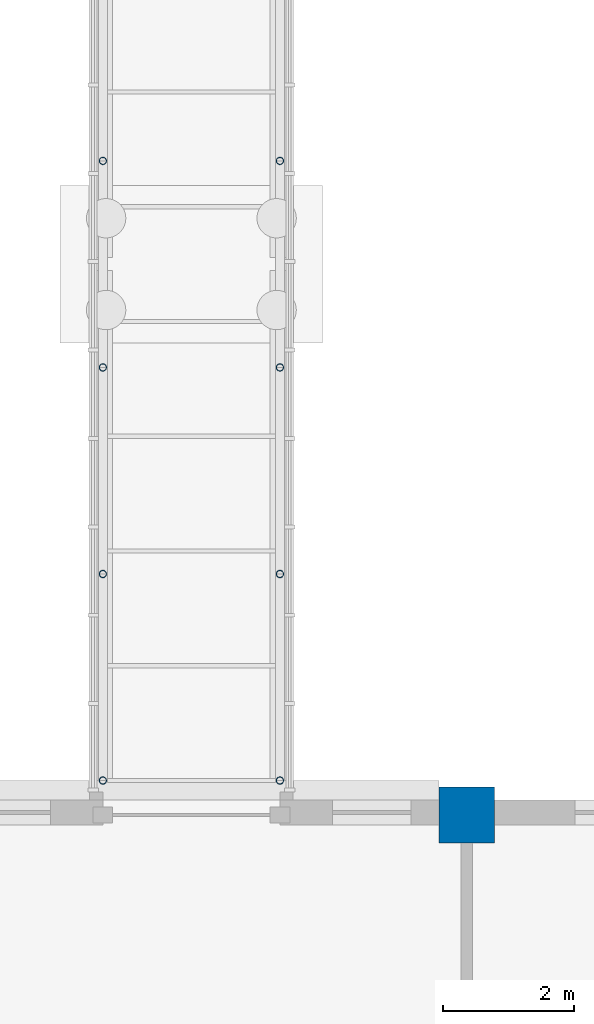
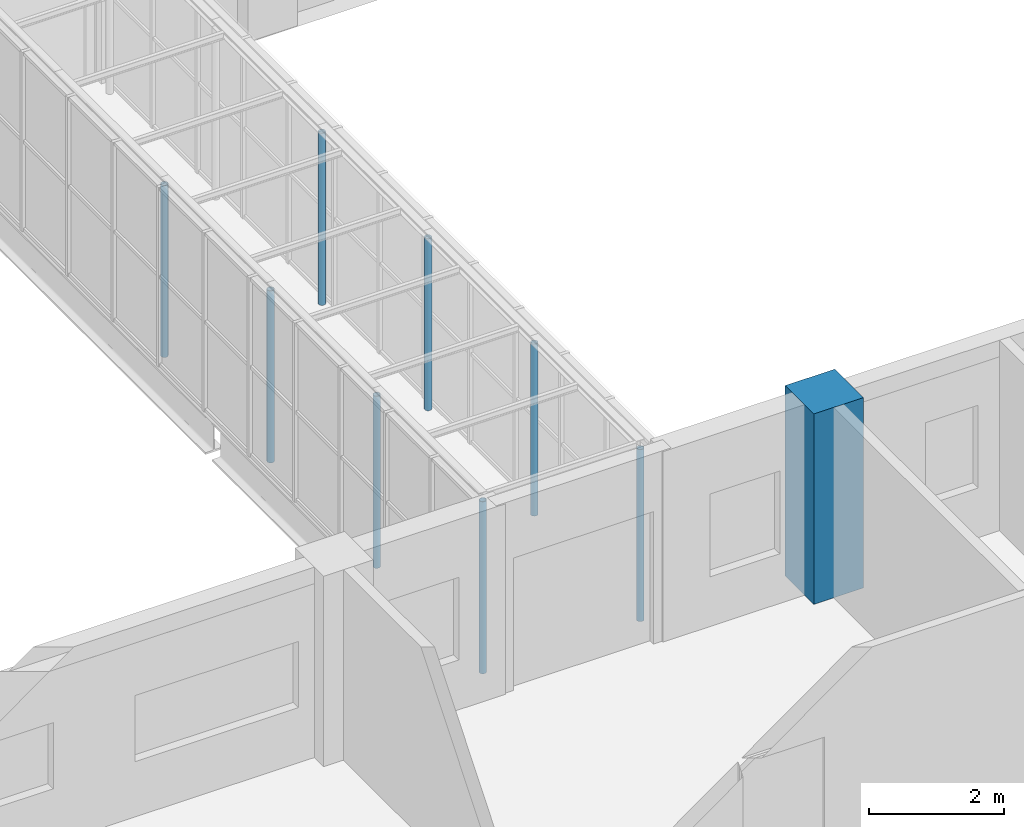
# One storey, part 2 of 94: 9 columns.
"""IFC4 building model written with IfcOpenShell, lengths in metres."""

from ifc_helpers import new_model, si_unit, direction, frame, origin, origin_2d, place, context, subcontext, project, spatial, rectangle, hollow_circle, extrude, material, material_profile, profile_set, type_object, element, save


model = new_model("IFC4")

# Units and contexts
model_context = context("Model", 3, precision=1e-05, world=origin(), true_north=direction((0.0, 1.0)))
body_context = subcontext(model_context, "Body", "Model", "MODEL_VIEW")
ifc_project = project(units=[si_unit("LENGTHUNIT", "METRE"), si_unit("AREAUNIT", "SQUARE_METRE"), si_unit("VOLUMEUNIT", "CUBIC_METRE"), si_unit("PLANEANGLEUNIT", "RADIAN"), si_unit("MASSUNIT", "GRAM", prefix="KILO")], contexts=[model_context])

# Site, building, storey
site_placement = place(None, origin())
site = spatial("IfcSite", under=ifc_project, at=site_placement, CompositionType="ELEMENT")
building_placement = place(site_placement, origin())
building = spatial("IfcBuilding", under=site, at=building_placement, Name="Yavir Park General Hospital", CompositionType="ELEMENT")
storey_placement = place(building_placement, frame((0.0, 0.0, 4.5)))
storey = spatial("IfcBuildingStorey", under=building, at=storey_placement, Name="L01", CompositionType="ELEMENT", Elevation=4.5)

# Columns
ifc_material_1 = material(Name="Steel S355", Category="steel")
ifc_material_profile_1 = material_profile(ifc_material_1, hollow_circle(Radius=0.05712890625, WallThickness=0.00634765625, at=origin_2d()), Name="CHS114.3x6.3")
ifc_profile_set_1 = profile_set([ifc_material_profile_1], Name="Steel S355")
column_type_1 = type_object("IfcColumnType", Name="CHS 114.3x6.3 roof post", PredefinedType="COLUMN", material=ifc_profile_set_1)
for number, where, z_axis, x_axis, name in (
    (1, (53.25, 34.125, 0.0), (0.0, 0.0, 1.0), (1.0, 0.0, 0.0), "RF:BRS:frame:P:0"),
    (2, (53.25, 37.27490234375, 0.0), (0.0, 0.0, 1.0), (1.0, 0.0, 0.0), "RF:BRS:frame:P:1"),
    (3, (53.25, 40.425048828125, 0.0), (0.0, 0.0, 1.0), (1.0, 0.0, 0.0), "RF:BRS:frame:P:2"),
    (4, (53.25, 43.574951171875, 0.0), (0.0, 0.0, 1.0), (1.0, 0.0, 0.0), "RF:BRS:frame:P:3"),
    (5, (55.949951171875, 34.125, 0.0), (0.0, 0.0, 1.0), (1.0, 0.0, 0.0), "RF:BRS:frame:P:6"),
    (6, (55.949951171875, 37.27490234375, 0.0), (0.0, 0.0, 1.0), (1.0, 0.0, 0.0), "RF:BRS:frame:P:7"),
    (7, (55.949951171875, 40.425048828125, 0.0), (0.0, 0.0, 1.0), (1.0, 0.0, 0.0), "RF:BRS:frame:P:8"),
    (8, (55.949951171875, 43.574951171875, 0.0), (0.0, 0.0, 1.0), (1.0, 0.0, 0.0), "RF:BRS:frame:P:9"),
):
    element("IfcColumn", number, at=place(storey_placement, frame(where, z_axis=z_axis, x_axis=x_axis)), inside=storey, type_object=column_type_1, Name=name, PredefinedType="COLUMN", context=body_context, shape_type="SweptSolid", body=[
        extrude(hollow_circle(Radius=0.05712890625, WallThickness=0.00634765625, at=origin_2d()), origin(), (0.0, 0.0, 1.0), 3.116943359375),
    ])
ifc_material_2 = material(Name="Concrete C40/50", Category="concrete")
ifc_material_profile_2 = material_profile(ifc_material_2, rectangle(XDim=0.85009765625, YDim=0.85009765625, at=origin_2d()), Name="RC850x850")
ifc_profile_set_2 = profile_set([ifc_material_profile_2], Name="Concrete C40/50")
column_type_2 = type_object("IfcColumnType", Name="RC COLUMN 850x850", PredefinedType="COLUMN", material=ifc_profile_set_2)
column_placement = place(storey_placement, frame((58.800048828125, 33.60009765625, 0.0), z_axis=(0.0, 0.0, 1.0), x_axis=(1.0, 0.0, 0.0)))
element("IfcColumn", 9, at=column_placement, inside=storey, type_object=column_type_2, Name="C:L01:8E", PredefinedType="COLUMN", context=body_context, shape_type="SweptSolid", body=[
    extrude(rectangle(XDim=0.85009765625, YDim=0.85009765625, at=origin_2d()), origin(), (0.0, 0.0, 1.0), 3.449951171875),
])

save(model, "model.ifc")
